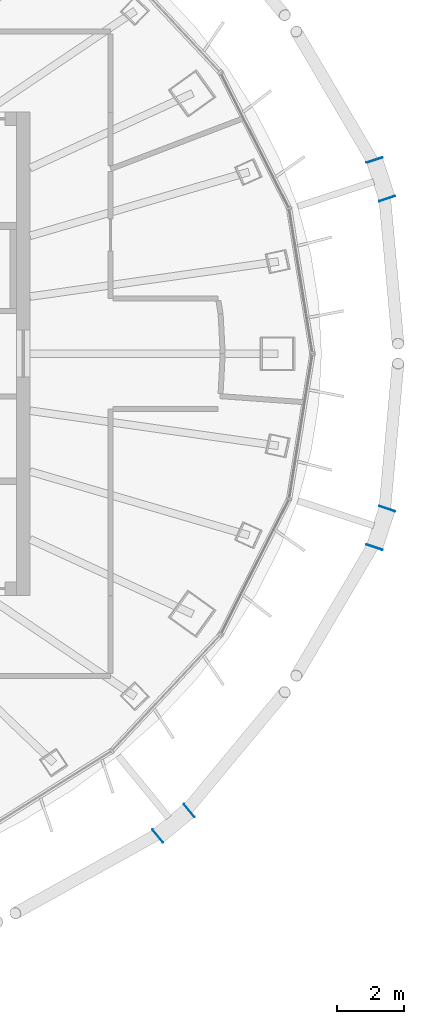
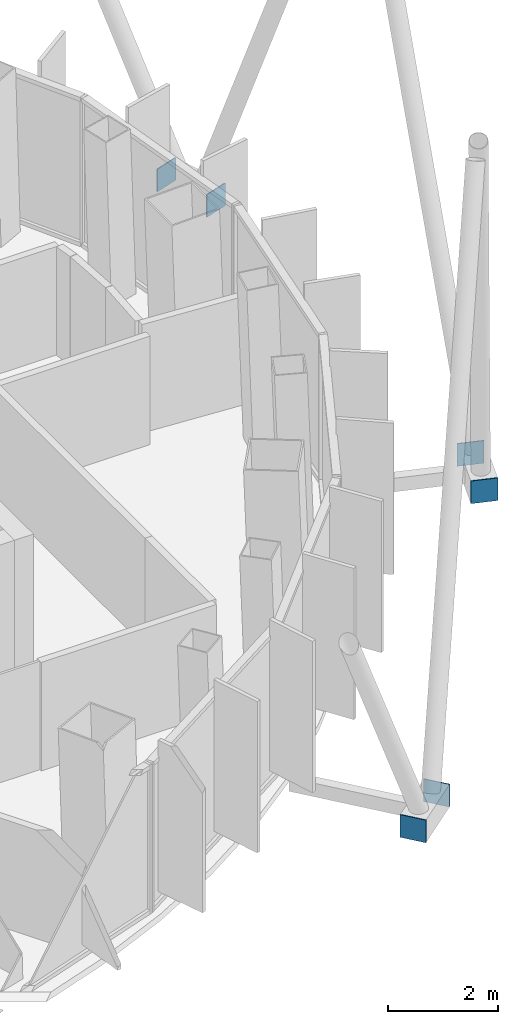
# One storey, part 14 of 18: 6 discrete accessories.
"""IFC4 building model written with IfcOpenShell, lengths in metres."""

from ifc_helpers import new_model, si_unit, direction, frame, origin, origin_2d, place, context, subcontext, project, spatial, rectangle, extrude, material, layer, layer_set, type_object, element, save


model = new_model("IFC4")

# Units and contexts
model_context = context("Model", 3, precision=1e-05, world=origin(), true_north=direction((0.0, 1.0)))
body_context = subcontext(model_context, "Body", "Model", "MODEL_VIEW")
ifc_project = project(units=[si_unit("LENGTHUNIT", "METRE"), si_unit("AREAUNIT", "SQUARE_METRE"), si_unit("VOLUMEUNIT", "CUBIC_METRE"), si_unit("PLANEANGLEUNIT", "RADIAN"), si_unit("MASSUNIT", "GRAM", prefix="KILO")], contexts=[model_context])

# Site, building, storey
site_placement = place(None, origin())
site = spatial("IfcSite", under=ifc_project, at=site_placement, CompositionType="ELEMENT")
building_placement = place(site_placement, origin())
building = spatial("IfcBuilding", under=site, at=building_placement, Name="Siaravel Broadcast Tower", CompositionType="ELEMENT")
storey_placement = place(building_placement, frame((0.0, 0.0, 261.5)))
storey = spatial("IfcBuildingStorey", under=building, at=storey_placement, Name="L64", CompositionType="ELEMENT", Elevation=261.5)

# Discrete accessories
ifc_material = material(Name="Steel S355", Category="steel")
ifc_layer = layer(ifc_material, 0.02001953125)
ifc_layer_set = layer_set([ifc_layer], Name="Steel S355")
discrete_accessory_type = type_object("IfcDiscreteAccessoryType", Name="Steel end plate 20 mm", PredefinedType="USERDEFINED", material=ifc_layer_set)
for number, where, z_axis, x_axis, name in (
    (1, (22.262451171875, 5.766845703125, -0.449951171875), (0.0, 0.0, 1.0), (-0.310908675, 0.950439791, 0.0), "End plate R26 station 03A"),
    (2, (22.6376953125, 4.619873046875, -0.449951171875), (0.0, 0.0, 1.0), (-0.310908675, 0.950439791, 0.0), "End plate R26 station 03B"),
    (3, (16.739990234375, -13.60888671875, -0.449951171875), (0.0, 0.0, 1.0), (0.773604694, 0.633668508, 0.0), "End plate R26 station 63A"),
    (4, (15.806396484375, -14.37353515625, -0.449951171875), (0.0, 0.0, 1.0), (0.773604694, 0.633668508, 0.0), "End plate R26 station 63B"),
    (5, (22.6376953125, -4.619873046875, -0.449951171875), (0.0, 0.0, 1.0), (0.310908675, 0.950439791, 0.0), "End plate R26 station 69A"),
    (6, (22.262451171875, -5.766845703125, -0.449951171875), (0.0, 0.0, 1.0), (0.310908675, 0.950439791, 0.0), "End plate R26 station 69B"),
):
    element("IfcDiscreteAccessory", number, at=place(storey_placement, frame(where, z_axis=z_axis, x_axis=x_axis)), inside=storey, type_object=discrete_accessory_type, Name=name, ObjectType="END PLATE", PredefinedType="USERDEFINED", context=body_context, shape_type="SweptSolid", body=[
        extrude(rectangle(XDim=0.02001953125, YDim=0.5, at=origin_2d()), origin(), (0.0, 0.0, 1.0), 0.5),
    ])

save(model, "model.ifc")
